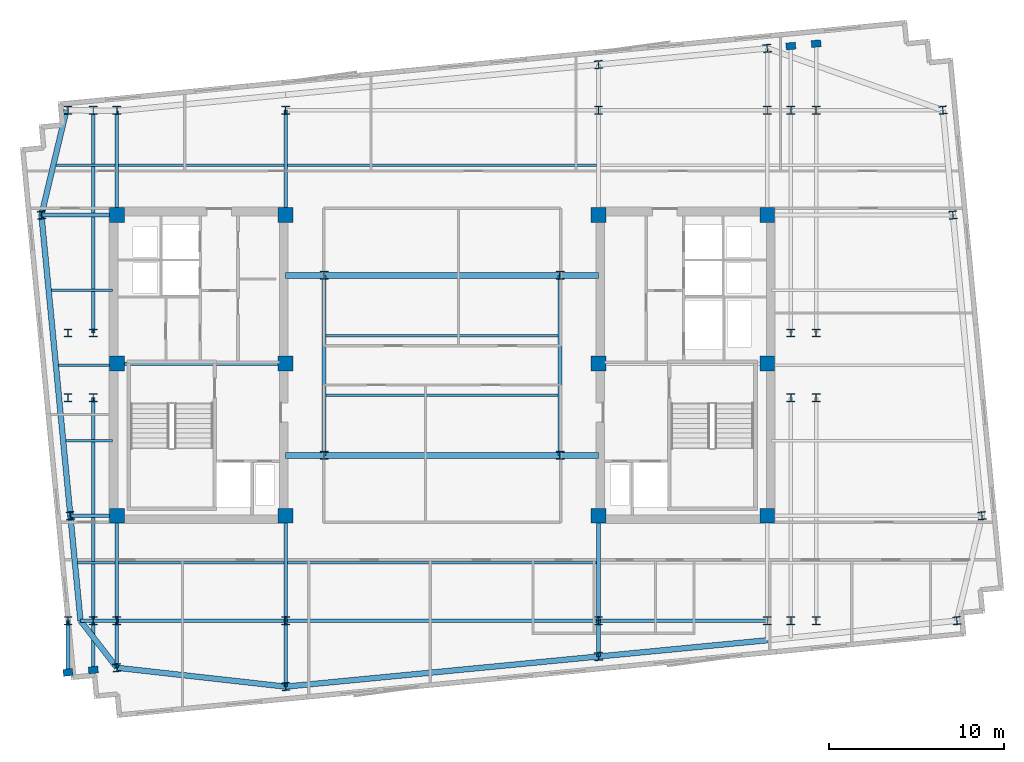
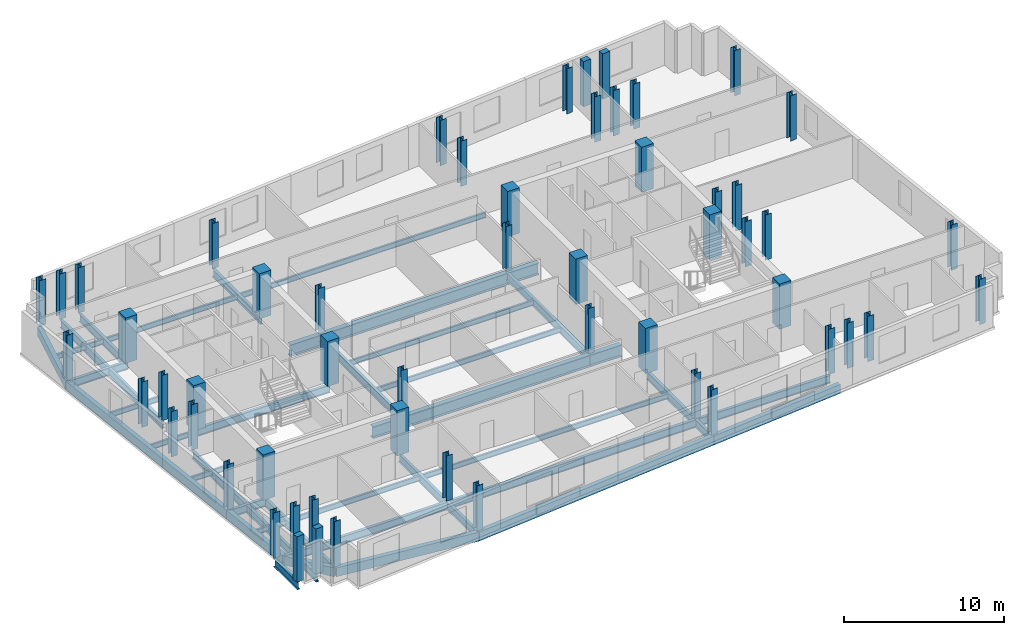
# One storey, part 1 of 9: 55 columns, 45 beams.
"""IFC4 building model written with IfcOpenShell, lengths in metres."""

from ifc_helpers import new_model, si_unit, direction, frame, origin, origin_2d, place, context, subcontext, project, spatial, rectangle, i_section, extrude, material, material_profile, profile_set, type_object, element, save


model = new_model("IFC4")

# Units and contexts
model_context = context("Model", 3, precision=1e-05, world=origin(), true_north=direction((0.0, 1.0)))
body_context = subcontext(model_context, "Body", "Model", "MODEL_VIEW")
ifc_project = project(units=[si_unit("LENGTHUNIT", "METRE"), si_unit("AREAUNIT", "SQUARE_METRE"), si_unit("VOLUMEUNIT", "CUBIC_METRE"), si_unit("PLANEANGLEUNIT", "RADIAN"), si_unit("MASSUNIT", "GRAM", prefix="KILO")], contexts=[model_context])

# Site, building, storey
site_placement = place(None, origin())
site = spatial("IfcSite", under=ifc_project, at=site_placement, CompositionType="ELEMENT")
building_placement = place(site_placement, origin())
building = spatial("IfcBuilding", under=site, at=building_placement, Name="Velakula Bourse", CompositionType="ELEMENT")
storey_placement = place(building_placement, frame((0.0, 0.0, 268.949951171875)))
storey = spatial("IfcBuildingStorey", under=building, at=storey_placement, Name="L73", CompositionType="ELEMENT", Elevation=268.949951171875)

# Columns
ifc_material_1 = material(Name="Concrete M50 (fck 50 MPa)", Category="concrete")
ifc_material_profile_1 = material_profile(ifc_material_1, rectangle(XDim=0.85009765625, YDim=0.85009765625, at=origin_2d()), Name="Concrete M50 (fck 50 MPa)")
ifc_profile_set_1 = profile_set([ifc_material_profile_1], Name="Concrete M50 (fck 50 MPa)")
column_type_1 = type_object("IfcColumnType", Name="COL-RC-850", PredefinedType="COLUMN", material=ifc_profile_set_1)
for number, where, z_axis, x_axis, name in (
    (1, (-8.949951171875, -8.60009765625, 0.0), (0.0, 0.0, 1.0), (1.0, 0.0, 0.0), "L73 Core Boundary Column 01"),
    (2, (-8.949951171875, 0.10009765625, 0.0), (0.0, 0.0, 1.0), (1.0, 0.0, 0.0), "L73 Core Boundary Column 02"),
    (3, (-8.949951171875, 8.60009765625, 0.0), (0.0, 0.0, 1.0), (1.0, 0.0, 0.0), "L73 Core Boundary Column 03"),
    (4, (-18.60009765625, -8.60009765625, 0.0), (0.0, 0.0, 1.0), (1.0, 0.0, 0.0), "L73 Core Boundary Column 04"),
    (5, (-18.60009765625, 0.10009765625, 0.0), (0.0, 0.0, 1.0), (1.0, 0.0, 0.0), "L73 Core Boundary Column 05"),
    (6, (-18.60009765625, 8.60009765625, 0.0), (0.0, 0.0, 1.0), (1.0, 0.0, 0.0), "L73 Core Boundary Column 06"),
    (7, (8.949951171875, -8.60009765625, 0.0), (0.0, 0.0, 1.0), (1.0, 0.0, 0.0), "L73 Core Boundary Column 07"),
    (8, (8.949951171875, 0.10009765625, 0.0), (0.0, 0.0, 1.0), (1.0, 0.0, 0.0), "L73 Core Boundary Column 08"),
    (9, (8.949951171875, 8.60009765625, 0.0), (0.0, 0.0, 1.0), (1.0, 0.0, 0.0), "L73 Core Boundary Column 09"),
    (10, (18.60009765625, -8.60009765625, 0.0), (0.0, 0.0, 1.0), (1.0, 0.0, 0.0), "L73 Core Boundary Column 10"),
    (11, (18.60009765625, 0.10009765625, 0.0), (0.0, 0.0, 1.0), (1.0, 0.0, 0.0), "L73 Core Boundary Column 11"),
    (12, (18.60009765625, 8.60009765625, 0.0), (0.0, 0.0, 1.0), (1.0, 0.0, 0.0), "L73 Core Boundary Column 12"),
):
    element("IfcColumn", number, at=place(storey_placement, frame(where, z_axis=z_axis, x_axis=x_axis)), inside=storey, type_object=column_type_1, Name=name, PredefinedType="COLUMN", context=body_context, shape_type="SweptSolid", body=[
        extrude(rectangle(XDim=0.85009765625, YDim=0.85009765625, at=origin_2d()), origin(), (0.0, 0.0, 1.0), 3.449951171875),
    ])
ifc_material_2 = material(Name="Steel IS 2062 Grade 350 (E350)", Category="steel")
ifc_material_profile_2 = material_profile(ifc_material_2, i_section(OverallWidth=0.449951171875, OverallDepth=0.449951171875, WebThickness=0.02197265625, FlangeThickness=0.031982421875, at=origin_2d()), Name="Steel IS 2062 Grade 350 (E350)")
ifc_profile_set_2 = profile_set([ifc_material_profile_2], Name="Steel IS 2062 Grade 350 (E350)")
column_type_2 = type_object("IfcColumnType", Name="COL-STL-450", PredefinedType="COLUMN", material=ifc_profile_set_2)
for number, where, z_axis, x_axis, name in (
    (13, (-6.75, -5.14990234375, 0.0), (0.0, 0.0, 1.0), (1.0, 0.0, 0.0), "L73 Central Spine Column 01"),
    (14, (-6.75, 5.14990234375, 0.0), (0.0, 0.0, 1.0), (1.0, 0.0, 0.0), "L73 Central Spine Column 02"),
    (15, (6.75, -5.14990234375, 0.0), (0.0, 0.0, 1.0), (1.0, 0.0, 0.0), "L73 Central Spine Column 03"),
    (16, (6.75, 5.14990234375, 0.0), (0.0, 0.0, 1.0), (1.0, 0.0, 0.0), "L73 Central Spine Column 04"),
    (17, (-21.39990234375, -14.60009765625, 0.0), (0.0, 0.0, 1.0), (1.0, 0.0, 0.0), "L73 Tower Fulcrum Column 01"),
    (18, (-21.39990234375, 14.60009765625, 0.0), (0.0, 0.0, 1.0), (1.0, 0.0, 0.0), "L73 Tower Fulcrum Column 02"),
    (19, (-19.949951171875, -14.60009765625, 0.0), (0.0, 0.0, 1.0), (1.0, 0.0, 0.0), "L73 Tower Fulcrum Column 03"),
    (20, (-19.949951171875, 14.60009765625, 0.0), (0.0, 0.0, 1.0), (1.0, 0.0, 0.0), "L73 Tower Fulcrum Column 04"),
    (21, (-18.60009765625, -14.60009765625, 0.0), (0.0, 0.0, 1.0), (1.0, 0.0, 0.0), "L73 Tower Fulcrum Column 05"),
    (22, (-18.60009765625, 14.60009765625, 0.0), (0.0, 0.0, 1.0), (1.0, 0.0, 0.0), "L73 Tower Fulcrum Column 06"),
    (23, (-8.949951171875, -14.60009765625, 0.0), (0.0, 0.0, 1.0), (1.0, 0.0, 0.0), "L73 Tower Fulcrum Column 07"),
    (24, (-8.949951171875, 14.60009765625, 0.0), (0.0, 0.0, 1.0), (1.0, 0.0, 0.0), "L73 Tower Fulcrum Column 08"),
    (25, (8.949951171875, -14.60009765625, 0.0), (0.0, 0.0, 1.0), (1.0, 0.0, 0.0), "L73 Tower Fulcrum Column 09"),
    (26, (8.949951171875, 14.60009765625, 0.0), (0.0, 0.0, 1.0), (1.0, 0.0, 0.0), "L73 Tower Fulcrum Column 10"),
    (27, (18.60009765625, -14.60009765625, 0.0), (0.0, 0.0, 1.0), (1.0, 0.0, 0.0), "L73 Tower Fulcrum Column 11"),
    (28, (18.60009765625, 14.60009765625, 0.0), (0.0, 0.0, 1.0), (1.0, 0.0, 0.0), "L73 Tower Fulcrum Column 12"),
    (29, (19.949951171875, -14.60009765625, 0.0), (0.0, 0.0, 1.0), (1.0, 0.0, 0.0), "L73 Tower Fulcrum Column 13"),
    (30, (19.949951171875, 14.60009765625, 0.0), (0.0, 0.0, 1.0), (1.0, 0.0, 0.0), "L73 Tower Fulcrum Column 14"),
    (31, (21.39990234375, -14.60009765625, 0.0), (0.0, 0.0, 1.0), (1.0, 0.0, 0.0), "L73 Tower Fulcrum Column 15"),
    (32, (21.39990234375, 14.60009765625, 0.0), (0.0, 0.0, 1.0), (1.0, 0.0, 0.0), "L73 Tower Fulcrum Column 16"),
    (33, (-21.39990234375, -1.85009765625, 0.0), (0.0, 0.0, 1.0), (1.0, 0.0, 0.0), "L73 Tower Fulcrum Column 17"),
    (34, (-21.39990234375, 1.85009765625, 0.0), (0.0, 0.0, 1.0), (1.0, 0.0, 0.0), "L73 Tower Fulcrum Column 18"),
    (35, (-19.949951171875, -1.85009765625, 0.0), (0.0, 0.0, 1.0), (1.0, 0.0, 0.0), "L73 Tower Fulcrum Column 19"),
    (36, (-19.949951171875, 1.85009765625, 0.0), (0.0, 0.0, 1.0), (1.0, 0.0, 0.0), "L73 Tower Fulcrum Column 20"),
    (37, (19.949951171875, -1.85009765625, 0.0), (0.0, 0.0, 1.0), (1.0, 0.0, 0.0), "L73 Tower Fulcrum Column 21"),
    (38, (19.949951171875, 1.85009765625, 0.0), (0.0, 0.0, 1.0), (1.0, 0.0, 0.0), "L73 Tower Fulcrum Column 22"),
    (39, (21.39990234375, -1.85009765625, 0.0), (0.0, 0.0, 1.0), (1.0, 0.0, 0.0), "L73 Tower Fulcrum Column 23"),
    (40, (21.39990234375, 1.85009765625, 0.0), (0.0, 0.0, 1.0), (1.0, 0.0, 0.0), "L73 Tower Fulcrum Column 24"),
    (41, (-18.60009765625, -17.294921875, 0.0), (0.0, 0.0, 1.0), (0.995396198367, 0.09584575252, 0.0), "L73 Block B6 Perimeter Column S1"),
    (42, (-8.949951171875, -18.375, 0.0), (0.0, 0.0, 1.0), (0.995396198367, 0.09584575252, 0.0), "L73 Block B6 Perimeter Column S2"),
    (43, (8.949951171875, -16.6513671875, 0.0), (0.0, 0.0, 1.0), (0.995396198367, 0.09584575252, 0.0), "L73 Block B6 Perimeter Column S3"),
    (44, (8.949951171875, 17.20458984375, 0.0), (0.0, 0.0, 1.0), (0.995396198367, 0.09584575252, 0.0), "L73 Block B6 Perimeter Column N3"),
    (45, (18.60009765625, 18.1337890625, 0.0), (0.0, 0.0, 1.0), (0.995396198367, 0.09584575252, 0.0), "L73 Block B6 Perimeter Column N4"),
    (46, (-21.26123046875, -8.60009765625, 0.0), (0.0, 0.0, 1.0), (0.995396198367, 0.09584575252, 0.0), "L73 Block B6 Perimeter Column W2"),
    (47, (-22.91748046875, 8.60009765625, 0.0), (0.0, 0.0, 1.0), (0.995396198367, 0.09584575252, 0.0), "L73 Block B6 Perimeter Column W3"),
    (48, (29.447265625, -14.60009765625, 0.0), (0.0, 0.0, 1.0), (0.995396198367, 0.09584575252, 0.0), "L73 Block B6 Perimeter Column E1"),
    (49, (30.87890625, -8.60009765625, 0.0), (0.0, 0.0, 1.0), (0.995396198367, 0.09584575252, 0.0), "L73 Block B6 Perimeter Column E2"),
    (50, (29.22265625, 8.60009765625, 0.0), (0.0, 0.0, 1.0), (0.995396198367, 0.09584575252, 0.0), "L73 Block B6 Perimeter Column E3"),
    (51, (28.64501953125, 14.60009765625, 0.0), (0.0, 0.0, 1.0), (0.995396198367, 0.09584575252, 0.0), "L73 Block B6 Perimeter Column E4"),
):
    element("IfcColumn", number, at=place(storey_placement, frame(where, z_axis=z_axis, x_axis=x_axis)), inside=storey, type_object=column_type_2, Name=name, PredefinedType="COLUMN", context=body_context, shape_type="SweptSolid", body=[
        extrude(i_section(OverallWidth=0.449951171875, OverallDepth=0.449951171875, WebThickness=0.02197265625, FlangeThickness=0.031982421875, at=origin_2d()), origin(), (0.0, 0.0, 1.0), 3.449951171875),
    ])
ifc_material_3 = material(Name="Precast concrete M45 (fck 45 MPa)", Category="concrete")
ifc_material_profile_3 = material_profile(ifc_material_3, rectangle(XDim=0.550048828125, YDim=0.39990234375, at=origin_2d()), Name="Precast concrete M45 (fck 45 MPa)")
ifc_profile_set_3 = profile_set([ifc_material_profile_3], Name="Precast concrete M45 (fck 45 MPa)")
column_type_3 = type_object("IfcColumnType", Name="PIL-BRICK-550", PredefinedType="PILASTER", material=ifc_profile_set_3)
for number, where, z_axis, x_axis, name in (
    (52, (-21.39990234375, -17.564453125, 0.0), (0.0, 0.0, 1.0), (0.995396198367, 0.09584575252, 0.0), "L73 Brick Pier Pilaster 01"),
    (53, (-19.949951171875, -17.4248046875, 0.0), (0.0, 0.0, 1.0), (0.995396198367, 0.09584575252, 0.0), "L73 Brick Pier Pilaster 02"),
    (54, (19.949951171875, 18.263671875, 0.0), (0.0, 0.0, 1.0), (0.995396198367, 0.09584575252, 0.0), "L73 Brick Pier Pilaster 07"),
    (55, (21.39990234375, 18.4033203125, 0.0), (0.0, 0.0, 1.0), (0.995396198367, 0.09584575252, 0.0), "L73 Brick Pier Pilaster 08"),
):
    element("IfcColumn", number, at=place(storey_placement, frame(where, z_axis=z_axis, x_axis=x_axis)), inside=storey, type_object=column_type_3, Name=name, PredefinedType="PILASTER", context=body_context, shape_type="SweptSolid", body=[
        extrude(rectangle(XDim=0.550048828125, YDim=0.39990234375, at=origin_2d()), origin(), (0.0, 0.0, 1.0), 3.449951171875),
    ])

# Beams
ifc_material_profile_4 = material_profile(ifc_material_2, i_section(OverallWidth=0.2099609375, OverallDepth=0.60009765625, WebThickness=0.011962890625, FlangeThickness=0.020751953125, at=origin_2d()), Name="Steel IS 2062 Grade 350 (E350)")
ifc_profile_set_4 = profile_set([ifc_material_profile_4], Name="Steel IS 2062 Grade 350 (E350)")
beam_type_1 = type_object("IfcBeamType", Name="BM-GRD-600L", PredefinedType="BEAM", material=ifc_profile_set_4)
beam_1_placement = place(storey_placement, frame((-18.60009765625, 0.10009765625, -0.47998046875), z_axis=(1.0, 0.0, 0.0), x_axis=(0.0, 1.0, 0.0)))
element("IfcBeam", 56, at=beam_1_placement, inside=storey, type_object=beam_type_1, Name="L73 Primary Backbone Girder CRW-M", PredefinedType="BEAM", context=body_context, shape_type="SweptSolid", body=[
    extrude(i_section(OverallWidth=0.2099609375, OverallDepth=0.60009765625, WebThickness=0.011962890625, FlangeThickness=0.020751953125, at=origin_2d()), origin(), (0.0, 0.0, 1.0), 9.650146484375),
])
for number, where, z_axis, x_axis, name in (
    (57, (-6.75, -5.14990234375, -0.47998046875), (0.0, 1.0, 0.0), (-1.0, 0.0, 0.0), "L73 Primary Backbone Girder SPN-W"),
    (58, (6.75, -5.14990234375, -0.47998046875), (0.0, 1.0, 0.0), (-1.0, 0.0, 0.0), "L73 Primary Backbone Girder SPN-E"),
):
    element("IfcBeam", number, at=place(storey_placement, frame(where, z_axis=z_axis, x_axis=x_axis)), inside=storey, type_object=beam_type_1, Name=name, PredefinedType="BEAM", context=body_context, shape_type="SweptSolid", body=[
        extrude(i_section(OverallWidth=0.2099609375, OverallDepth=0.60009765625, WebThickness=0.011962890625, FlangeThickness=0.020751953125, at=origin_2d()), origin(), (0.0, 0.0, 1.0), 10.2998046875),
    ])
beam_2_placement = place(storey_placement, frame((-18.60009765625, -14.60009765625, -0.47998046875), z_axis=(0.0, 1.0, 0.0), x_axis=(-1.0, 0.0, 0.0)))
element("IfcBeam", 59, at=beam_2_placement, inside=storey, type_object=beam_type_1, Name="L73 Fulcrum Grid Girder FLC-WS", PredefinedType="BEAM", context=body_context, shape_type="SweptSolid", body=[
    extrude(i_section(OverallWidth=0.2099609375, OverallDepth=0.60009765625, WebThickness=0.011962890625, FlangeThickness=0.020751953125, at=origin_2d()), origin(), (0.0, 0.0, 1.0), 6.0),
])
beam_3_placement = place(storey_placement, frame((-18.60009765625, 8.60009765625, -0.47998046875), z_axis=(0.0, 1.0, 0.0), x_axis=(-1.0, 0.0, 0.0)))
element("IfcBeam", 60, at=beam_3_placement, inside=storey, type_object=beam_type_1, Name="L73 Fulcrum Grid Girder FLC-WN", PredefinedType="BEAM", context=body_context, shape_type="SweptSolid", body=[
    extrude(i_section(OverallWidth=0.2099609375, OverallDepth=0.60009765625, WebThickness=0.011962890625, FlangeThickness=0.020751953125, at=origin_2d()), origin(), (0.0, 0.0, 1.0), 5.95166015625),
])
for number, where, z_axis, x_axis, name in (
    (61, (-8.949951171875, -14.60009765625, -0.47998046875), (0.0, 1.0, 0.0), (-1.0, 0.0, 0.0), "L73 Fulcrum Grid Girder FLC-WCS"),
    (62, (-8.949951171875, 8.60009765625, -0.47998046875), (0.0, 1.0, 0.0), (-1.0, 0.0, 0.0), "L73 Fulcrum Grid Girder FLC-WCN"),
    (63, (8.949951171875, -14.60009765625, -0.47998046875), (0.0, 1.0, 0.0), (-1.0, 0.0, 0.0), "L73 Fulcrum Grid Girder FLC-ECS"),
):
    element("IfcBeam", number, at=place(storey_placement, frame(where, z_axis=z_axis, x_axis=x_axis)), inside=storey, type_object=beam_type_1, Name=name, PredefinedType="BEAM", context=body_context, shape_type="SweptSolid", body=[
        extrude(i_section(OverallWidth=0.2099609375, OverallDepth=0.60009765625, WebThickness=0.011962890625, FlangeThickness=0.020751953125, at=origin_2d()), origin(), (0.0, 0.0, 1.0), 6.0),
    ])
beam_4_placement = place(storey_placement, frame((-18.60009765625, -14.60009765625, -0.47998046875), z_axis=(1.0, 0.0, 0.0), x_axis=(0.0, 1.0, 0.0)))
element("IfcBeam", 64, at=beam_4_placement, inside=storey, type_object=beam_type_1, Name="L73 Fulcrum Grid Girder FLC-S1", PredefinedType="BEAM", context=body_context, shape_type="SweptSolid", body=[
    extrude(i_section(OverallWidth=0.2099609375, OverallDepth=0.60009765625, WebThickness=0.011962890625, FlangeThickness=0.020751953125, at=origin_2d()), origin(), (0.0, 0.0, 1.0), 9.650146484375),
])
beam_5_placement = place(storey_placement, frame((-8.949951171875, -14.60009765625, -0.47998046875), z_axis=(1.0, 0.0, 0.0), x_axis=(0.0, 1.0, 0.0)))
element("IfcBeam", 65, at=beam_5_placement, inside=storey, type_object=beam_type_1, Name="L73 Fulcrum Grid Girder FLC-S2", PredefinedType="BEAM", context=body_context, shape_type="SweptSolid", body=[
    extrude(i_section(OverallWidth=0.2099609375, OverallDepth=0.60009765625, WebThickness=0.011962890625, FlangeThickness=0.020751953125, at=origin_2d()), origin(), (0.0, 0.0, 1.0), 17.89990234375),
])
beam_6_placement = place(storey_placement, frame((8.949951171875, -14.60009765625, -0.47998046875), z_axis=(1.0, 0.0, 0.0), x_axis=(0.0, 1.0, 0.0)))
element("IfcBeam", 66, at=beam_6_placement, inside=storey, type_object=beam_type_1, Name="L73 Fulcrum Grid Girder FLC-S3", PredefinedType="BEAM", context=body_context, shape_type="SweptSolid", body=[
    extrude(i_section(OverallWidth=0.2099609375, OverallDepth=0.60009765625, WebThickness=0.011962890625, FlangeThickness=0.020751953125, at=origin_2d()), origin(), (0.0, 0.0, 1.0), 9.650146484375),
])
beam_7_placement = place(storey_placement, frame((-19.949951171875, -14.60009765625, -0.47998046875), z_axis=(0.0, 1.0, 0.0), x_axis=(-1.0, 0.0, 0.0)))
element("IfcBeam", 67, at=beam_7_placement, inside=storey, type_object=beam_type_1, Name="L73 Fulcrum Grid Girder FLC-PSW2", PredefinedType="BEAM", context=body_context, shape_type="SweptSolid", body=[
    extrude(i_section(OverallWidth=0.2099609375, OverallDepth=0.60009765625, WebThickness=0.011962890625, FlangeThickness=0.020751953125, at=origin_2d()), origin(), (0.0, 0.0, 1.0), 12.75),
])
beam_8_placement = place(storey_placement, frame((-19.949951171875, 1.85009765625, -0.47998046875), z_axis=(0.0, 1.0, 0.0), x_axis=(-1.0, 0.0, 0.0)))
element("IfcBeam", 68, at=beam_8_placement, inside=storey, type_object=beam_type_1, Name="L73 Fulcrum Grid Girder FLC-PNW2", PredefinedType="BEAM", context=body_context, shape_type="SweptSolid", body=[
    extrude(i_section(OverallWidth=0.2099609375, OverallDepth=0.60009765625, WebThickness=0.011962890625, FlangeThickness=0.020751953125, at=origin_2d()), origin(), (0.0, 0.0, 1.0), 12.72412109375),
])
beam_9_placement = place(storey_placement, frame((-18.60009765625, -14.60009765625, -0.47998046875), z_axis=(0.0, -1.0, 0.0), x_axis=(1.0, 0.0, 0.0)))
element("IfcBeam", 69, at=beam_9_placement, inside=storey, type_object=beam_type_1, Name="L73 Perimeter Tie Girder S1", PredefinedType="BEAM", context=body_context, shape_type="SweptSolid", body=[
    extrude(i_section(OverallWidth=0.2099609375, OverallDepth=0.60009765625, WebThickness=0.011962890625, FlangeThickness=0.020751953125, at=origin_2d()), origin(), (0.0, 0.0, 1.0), 2.69482421875),
])
beam_10_placement = place(storey_placement, frame((-8.949951171875, -14.60009765625, -0.47998046875), z_axis=(0.0, -1.0, 0.0), x_axis=(1.0, 0.0, 0.0)))
element("IfcBeam", 70, at=beam_10_placement, inside=storey, type_object=beam_type_1, Name="L73 Perimeter Tie Girder S2", PredefinedType="BEAM", context=body_context, shape_type="SweptSolid", body=[
    extrude(i_section(OverallWidth=0.2099609375, OverallDepth=0.60009765625, WebThickness=0.011962890625, FlangeThickness=0.020751953125, at=origin_2d()), origin(), (0.0, 0.0, 1.0), 3.77490234375),
])
beam_11_placement = place(storey_placement, frame((8.949951171875, -14.60009765625, -0.47998046875), z_axis=(0.0, -1.0, 0.0), x_axis=(1.0, 0.0, 0.0)))
element("IfcBeam", 71, at=beam_11_placement, inside=storey, type_object=beam_type_1, Name="L73 Perimeter Tie Girder S3", PredefinedType="BEAM", context=body_context, shape_type="SweptSolid", body=[
    extrude(i_section(OverallWidth=0.2099609375, OverallDepth=0.60009765625, WebThickness=0.011962890625, FlangeThickness=0.020751953125, at=origin_2d()), origin(), (0.0, 0.0, 1.0), 2.05126953125),
])
beam_12_placement = place(storey_placement, frame((-18.60009765625, -14.60009765625, -0.47998046875), z_axis=(-1.0, 0.0, 0.0), x_axis=(0.0, -1.0, 0.0)))
element("IfcBeam", 72, at=beam_12_placement, inside=storey, type_object=beam_type_1, Name="L73 Perimeter Tie Girder W1", PredefinedType="BEAM", context=body_context, shape_type="SweptSolid", body=[
    extrude(i_section(OverallWidth=0.2099609375, OverallDepth=0.60009765625, WebThickness=0.011962890625, FlangeThickness=0.020751953125, at=origin_2d()), origin(), (0.0, 0.0, 1.0), 2.08349609375),
])
beam_13_placement = place(storey_placement, frame((-18.60009765625, -8.60009765625, -0.47998046875), z_axis=(-1.0, 0.0, 0.0), x_axis=(0.0, -1.0, 0.0)))
element("IfcBeam", 73, at=beam_13_placement, inside=storey, type_object=beam_type_1, Name="L73 Perimeter Tie Girder W2", PredefinedType="BEAM", context=body_context, shape_type="SweptSolid", body=[
    extrude(i_section(OverallWidth=0.2099609375, OverallDepth=0.60009765625, WebThickness=0.011962890625, FlangeThickness=0.020751953125, at=origin_2d()), origin(), (0.0, 0.0, 1.0), 2.6611328125),
])
beam_14_placement = place(storey_placement, frame((-18.60009765625, 8.60009765625, -0.47998046875), z_axis=(-1.0, 0.0, 0.0), x_axis=(0.0, -1.0, 0.0)))
element("IfcBeam", 74, at=beam_14_placement, inside=storey, type_object=beam_type_1, Name="L73 Perimeter Tie Girder W3", PredefinedType="BEAM", context=body_context, shape_type="SweptSolid", body=[
    extrude(i_section(OverallWidth=0.2099609375, OverallDepth=0.60009765625, WebThickness=0.011962890625, FlangeThickness=0.020751953125, at=origin_2d()), origin(), (0.0, 0.0, 1.0), 4.3173828125),
])
beam_15_placement = place(storey_placement, frame((-21.39990234375, -14.60009765625, -0.47998046875), z_axis=(0.0, -1.0, 0.0), x_axis=(1.0, 0.0, 0.0)))
element("IfcBeam", 75, at=beam_15_placement, inside=storey, type_object=beam_type_1, Name="L73 Perimeter Tie Girder P01", PredefinedType="BEAM", context=body_context, shape_type="SweptSolid", body=[
    extrude(i_section(OverallWidth=0.2099609375, OverallDepth=0.60009765625, WebThickness=0.011962890625, FlangeThickness=0.020751953125, at=origin_2d()), origin(), (0.0, 0.0, 1.0), 2.96435546875),
])
beam_16_placement = place(storey_placement, frame((-19.949951171875, -14.60009765625, -0.47998046875), z_axis=(0.0, -1.0, 0.0), x_axis=(1.0, 0.0, 0.0)))
element("IfcBeam", 76, at=beam_16_placement, inside=storey, type_object=beam_type_1, Name="L73 Perimeter Tie Girder P02", PredefinedType="BEAM", context=body_context, shape_type="SweptSolid", body=[
    extrude(i_section(OverallWidth=0.2099609375, OverallDepth=0.60009765625, WebThickness=0.011962890625, FlangeThickness=0.020751953125, at=origin_2d()), origin(), (0.0, 0.0, 1.0), 2.82470703125),
])
ifc_material_profile_5 = material_profile(ifc_material_2, i_section(OverallWidth=0.35009765625, OverallDepth=0.89990234375, WebThickness=0.02001953125, FlangeThickness=0.031982421875, at=origin_2d()), Name="Steel IS 2062 Grade 350 (E350)")
ifc_profile_set_5 = profile_set([ifc_material_profile_5], Name="Steel IS 2062 Grade 350 (E350)")
beam_type_2 = type_object("IfcBeamType", Name="BM-LNK-900", PredefinedType="BEAM", material=ifc_profile_set_5)
beam_17_placement = place(storey_placement, frame((-8.949951171875, -5.14990234375, -0.6298828125), z_axis=(1.0, 0.0, 0.0), x_axis=(0.0, 1.0, 0.0)))
element("IfcBeam", 77, at=beam_17_placement, inside=storey, type_object=beam_type_2, Name="L73 Primary Backbone Girder LNK-S1", PredefinedType="BEAM", context=body_context, shape_type="SweptSolid", body=[
    extrude(i_section(OverallWidth=0.35009765625, OverallDepth=0.89990234375, WebThickness=0.02001953125, FlangeThickness=0.031982421875, at=origin_2d()), origin(), (0.0, 0.0, 1.0), 2.199951171875),
])
beam_18_placement = place(storey_placement, frame((-6.75, -5.14990234375, -0.6298828125), z_axis=(1.0, 0.0, 0.0), x_axis=(0.0, 1.0, 0.0)))
element("IfcBeam", 78, at=beam_18_placement, inside=storey, type_object=beam_type_2, Name="L73 Primary Backbone Girder LNK-S2", PredefinedType="BEAM", context=body_context, shape_type="SweptSolid", body=[
    extrude(i_section(OverallWidth=0.35009765625, OverallDepth=0.89990234375, WebThickness=0.02001953125, FlangeThickness=0.031982421875, at=origin_2d()), origin(), (0.0, 0.0, 1.0), 13.5),
])
for number, where, z_axis, x_axis, name in (
    (79, (6.75, -5.14990234375, -0.6298828125), (1.0, 0.0, 0.0), (0.0, 1.0, 0.0), "L73 Primary Backbone Girder LNK-S3"),
    (80, (-8.949951171875, 5.14990234375, -0.6298828125), (1.0, 0.0, 0.0), (0.0, 1.0, 0.0), "L73 Primary Backbone Girder LNK-N1"),
):
    element("IfcBeam", number, at=place(storey_placement, frame(where, z_axis=z_axis, x_axis=x_axis)), inside=storey, type_object=beam_type_2, Name=name, PredefinedType="BEAM", context=body_context, shape_type="SweptSolid", body=[
        extrude(i_section(OverallWidth=0.35009765625, OverallDepth=0.89990234375, WebThickness=0.02001953125, FlangeThickness=0.031982421875, at=origin_2d()), origin(), (0.0, 0.0, 1.0), 2.199951171875),
    ])
beam_19_placement = place(storey_placement, frame((-6.75, 5.14990234375, -0.6298828125), z_axis=(1.0, 0.0, 0.0), x_axis=(0.0, 1.0, 0.0)))
element("IfcBeam", 81, at=beam_19_placement, inside=storey, type_object=beam_type_2, Name="L73 Primary Backbone Girder LNK-N2", PredefinedType="BEAM", context=body_context, shape_type="SweptSolid", body=[
    extrude(i_section(OverallWidth=0.35009765625, OverallDepth=0.89990234375, WebThickness=0.02001953125, FlangeThickness=0.031982421875, at=origin_2d()), origin(), (0.0, 0.0, 1.0), 13.5),
])
beam_20_placement = place(storey_placement, frame((6.75, 5.14990234375, -0.6298828125), z_axis=(1.0, 0.0, 0.0), x_axis=(0.0, 1.0, 0.0)))
element("IfcBeam", 82, at=beam_20_placement, inside=storey, type_object=beam_type_2, Name="L73 Primary Backbone Girder LNK-N3", PredefinedType="BEAM", context=body_context, shape_type="SweptSolid", body=[
    extrude(i_section(OverallWidth=0.35009765625, OverallDepth=0.89990234375, WebThickness=0.02001953125, FlangeThickness=0.031982421875, at=origin_2d()), origin(), (0.0, 0.0, 1.0), 2.199951171875),
])
ifc_material_profile_6 = material_profile(ifc_material_2, i_section(OverallWidth=0.139892578125, OverallDepth=0.39990234375, WebThickness=0.0087890625, FlangeThickness=0.01611328125, at=origin_2d()), Name="Steel IS 2062 Grade 350 (E350)")
ifc_profile_set_6 = profile_set([ifc_material_profile_6], Name="Steel IS 2062 Grade 350 (E350)")
beam_type_3 = type_object("IfcBeamType", Name="JST-TWR-400", PredefinedType="JOIST", material=ifc_profile_set_6)
beam_21_placement = place(storey_placement, frame((-20.840576171875, -11.300048828125, -0.3798828125), z_axis=(1.0, 0.0, 0.0), x_axis=(0.0, 1.0, 0.0)))
element("IfcBeam", 83, at=beam_21_placement, inside=storey, type_object=beam_type_3, Name="L73 Trading Floor Composite Joist 03", PredefinedType="JOIST", context=body_context, shape_type="SweptSolid", body=[
    extrude(i_section(OverallWidth=0.139892578125, OverallDepth=0.39990234375, WebThickness=0.0087890625, FlangeThickness=0.01611328125, at=origin_2d()), origin(), (0.0, 0.0, 1.0), 2.135498046875),
])
beam_22_placement = place(storey_placement, frame((-18.4951171875, -11.300048828125, -0.3798828125), z_axis=(1.0, 0.0, 0.0), x_axis=(0.0, 1.0, 0.0)))
element("IfcBeam", 84, at=beam_22_placement, inside=storey, type_object=beam_type_3, Name="L73 Trading Floor Composite Joist 04", PredefinedType="JOIST", context=body_context, shape_type="SweptSolid", body=[
    extrude(i_section(OverallWidth=0.139892578125, OverallDepth=0.39990234375, WebThickness=0.0087890625, FlangeThickness=0.01611328125, at=origin_2d()), origin(), (0.0, 0.0, 1.0), 9.440185546875),
])
beam_23_placement = place(storey_placement, frame((-8.844970703125, -11.300048828125, -0.3798828125), z_axis=(1.0, 0.0, 0.0), x_axis=(0.0, 1.0, 0.0)))
element("IfcBeam", 85, at=beam_23_placement, inside=storey, type_object=beam_type_3, Name="L73 Trading Floor Composite Joist 05", PredefinedType="JOIST", context=body_context, shape_type="SweptSolid", body=[
    extrude(i_section(OverallWidth=0.139892578125, OverallDepth=0.39990234375, WebThickness=0.0087890625, FlangeThickness=0.01611328125, at=origin_2d()), origin(), (0.0, 0.0, 1.0), 17.68994140625),
])
beam_24_placement = place(storey_placement, frame((-22.072998046875, 11.449951171875, -0.3798828125), z_axis=(1.0, 0.0, 0.0), x_axis=(0.0, 1.0, 0.0)))
element("IfcBeam", 86, at=beam_24_placement, inside=storey, type_object=beam_type_3, Name="L73 Trading Floor Composite Joist 08", PredefinedType="JOIST", context=body_context, shape_type="SweptSolid", body=[
    extrude(i_section(OverallWidth=0.139892578125, OverallDepth=0.39990234375, WebThickness=0.0087890625, FlangeThickness=0.01611328125, at=origin_2d()), origin(), (0.0, 0.0, 1.0), 3.367919921875),
])
beam_25_placement = place(storey_placement, frame((-18.4951171875, 11.449951171875, -0.3798828125), z_axis=(1.0, 0.0, 0.0), x_axis=(0.0, 1.0, 0.0)))
element("IfcBeam", 87, at=beam_25_placement, inside=storey, type_object=beam_type_3, Name="L73 Trading Floor Composite Joist 09", PredefinedType="JOIST", context=body_context, shape_type="SweptSolid", body=[
    extrude(i_section(OverallWidth=0.139892578125, OverallDepth=0.39990234375, WebThickness=0.0087890625, FlangeThickness=0.01611328125, at=origin_2d()), origin(), (0.0, 0.0, 1.0), 9.440185546875),
])
beam_26_placement = place(storey_placement, frame((-8.844970703125, 11.449951171875, -0.3798828125), z_axis=(1.0, 0.0, 0.0), x_axis=(0.0, 1.0, 0.0)))
element("IfcBeam", 88, at=beam_26_placement, inside=storey, type_object=beam_type_3, Name="L73 Trading Floor Composite Joist 10", PredefinedType="JOIST", context=body_context, shape_type="SweptSolid", body=[
    extrude(i_section(OverallWidth=0.139892578125, OverallDepth=0.39990234375, WebThickness=0.0087890625, FlangeThickness=0.01611328125, at=origin_2d()), origin(), (0.0, 0.0, 1.0), 17.68994140625),
])
for number, where, z_axis, x_axis, name in (
    (89, (-6.64501953125, -1.699951171875, -0.3798828125), (1.0, 0.0, 0.0), (0.0, 1.0, 0.0), "L73 Trading Floor Composite Joist 14"),
    (90, (-6.64501953125, 1.699951171875, -0.3798828125), (1.0, 0.0, 0.0), (0.0, 1.0, 0.0), "L73 Trading Floor Composite Joist 15"),
):
    element("IfcBeam", number, at=place(storey_placement, frame(where, z_axis=z_axis, x_axis=x_axis)), inside=storey, type_object=beam_type_3, Name=name, PredefinedType="JOIST", context=body_context, shape_type="SweptSolid", body=[
        extrude(i_section(OverallWidth=0.139892578125, OverallDepth=0.39990234375, WebThickness=0.0087890625, FlangeThickness=0.01611328125, at=origin_2d()), origin(), (0.0, 0.0, 1.0), 13.2900390625),
    ])
beam_27_placement = place(storey_placement, frame((-21.514404296875, -4.300048828125, -0.3798828125), z_axis=(1.0, 0.0, 0.0), x_axis=(0.0, 1.0, 0.0)))
element("IfcBeam", 91, at=beam_27_placement, inside=storey, type_object=beam_type_3, Name="L73 Trading Floor Composite Joist 16", PredefinedType="JOIST", context=body_context, shape_type="SweptSolid", body=[
    extrude(i_section(OverallWidth=0.139892578125, OverallDepth=0.39990234375, WebThickness=0.0087890625, FlangeThickness=0.01611328125, at=origin_2d()), origin(), (0.0, 0.0, 1.0), 2.664306640625),
])
beam_28_placement = place(storey_placement, frame((-21.9287109375, 0.0, -0.3798828125), z_axis=(1.0, 0.0, 0.0), x_axis=(0.0, 1.0, 0.0)))
element("IfcBeam", 92, at=beam_28_placement, inside=storey, type_object=beam_type_3, Name="L73 Trading Floor Composite Joist 18", PredefinedType="JOIST", context=body_context, shape_type="SweptSolid", body=[
    extrude(i_section(OverallWidth=0.139892578125, OverallDepth=0.39990234375, WebThickness=0.0087890625, FlangeThickness=0.01611328125, at=origin_2d()), origin(), (0.0, 0.0, 1.0), 3.07861328125),
])
beam_29_placement = place(storey_placement, frame((-22.342529296875, 4.300048828125, -0.3798828125), z_axis=(1.0, 0.0, 0.0), x_axis=(0.0, 1.0, 0.0)))
element("IfcBeam", 93, at=beam_29_placement, inside=storey, type_object=beam_type_3, Name="L73 Trading Floor Composite Joist 20", PredefinedType="JOIST", context=body_context, shape_type="SweptSolid", body=[
    extrude(i_section(OverallWidth=0.139892578125, OverallDepth=0.39990234375, WebThickness=0.0087890625, FlangeThickness=0.01611328125, at=origin_2d()), origin(), (0.0, 0.0, 1.0), 3.492431640625),
])
ifc_material_profile_7 = material_profile(ifc_material_3, rectangle(XDim=0.320068359375, YDim=0.679931640625, at=origin_2d()), Name="Precast concrete M45 (fck 45 MPa)")
ifc_profile_set_7 = profile_set([ifc_material_profile_7], Name="Precast concrete M45 (fck 45 MPa)")
beam_type_4 = type_object("IfcBeamType", Name="SPN-BRICK-680", PredefinedType="SPANDREL", material=ifc_profile_set_7)
beam_30_placement = place(storey_placement, frame((-18.60009765625, -17.294921875, -0.52001953125), z_axis=(0.993794803874, -0.111228988093, 0.0), x_axis=(0.111228988093, 0.993794803874, 0.0)))
element("IfcBeam", 94, at=beam_30_placement, inside=storey, type_object=beam_type_4, Name="L73 Brick-Faced Precast Spandrel S1-S2", PredefinedType="SPANDREL", context=body_context, shape_type="SweptSolid", body=[
    extrude(rectangle(XDim=0.320068359375, YDim=0.679931640625, at=origin_2d()), origin(), (0.0, 0.0, 1.0), 9.71044921875),
])
beam_31_placement = place(storey_placement, frame((-8.949951171875, -18.375, -0.52001953125), z_axis=(0.995395836254, 0.095849513134, 0.0), x_axis=(-0.095849513134, 0.995395836254, 0.0)))
element("IfcBeam", 95, at=beam_31_placement, inside=storey, type_object=beam_type_4, Name="L73 Brick-Faced Precast Spandrel S2-S3", PredefinedType="SPANDREL", context=body_context, shape_type="SweptSolid", body=[
    extrude(rectangle(XDim=0.320068359375, YDim=0.679931640625, at=origin_2d()), origin(), (0.0, 0.0, 1.0), 17.982666015625),
])
beam_32_placement = place(storey_placement, frame((8.949951171875, -16.6513671875, -0.52001953125), z_axis=(0.99539623971, 0.095845323155, 0.0), x_axis=(-0.095845323155, 0.99539623971, 0.0)))
element("IfcBeam", 96, at=beam_32_placement, inside=storey, type_object=beam_type_4, Name="L73 Brick-Faced Precast Spandrel S3-S4", PredefinedType="SPANDREL", context=body_context, shape_type="SweptSolid", body=[
    extrude(rectangle(XDim=0.320068359375, YDim=0.679931640625, at=origin_2d()), origin(), (0.0, 0.0, 1.0), 9.69482421875),
])
beam_33_placement = place(storey_placement, frame((-20.68359375, -14.60009765625, -0.52001953125), z_axis=(-0.095829714309, 0.995397742541, 0.0), x_axis=(-0.995397742541, -0.095829714309, 0.0)))
element("IfcBeam", 97, at=beam_33_placement, inside=storey, type_object=beam_type_4, Name="L73 Brick-Faced Precast Spandrel W1-W2", PredefinedType="SPANDREL", context=body_context, shape_type="SweptSolid", body=[
    extrude(rectangle(XDim=0.320068359375, YDim=0.679931640625, at=origin_2d()), origin(), (0.0, 0.0, 1.0), 6.02783203125),
])
beam_34_placement = place(storey_placement, frame((-21.26123046875, -8.60009765625, -0.52001953125), z_axis=(-0.095849167925, 0.995395869495, 0.0), x_axis=(-0.995395869495, -0.095849167925, 0.0)))
element("IfcBeam", 98, at=beam_34_placement, inside=storey, type_object=beam_type_4, Name="L73 Brick-Faced Precast Spandrel W2-W3", PredefinedType="SPANDREL", context=body_context, shape_type="SweptSolid", body=[
    extrude(rectangle(XDim=0.320068359375, YDim=0.679931640625, at=origin_2d()), origin(), (0.0, 0.0, 1.0), 17.27978515625),
])
beam_35_placement = place(storey_placement, frame((-22.91748046875, 8.60009765625, -0.52001953125), z_axis=(0.232091371601, 0.972693988482, 0.0), x_axis=(-0.972693988482, 0.232091371601, 0.0)))
element("IfcBeam", 99, at=beam_35_placement, inside=storey, type_object=beam_type_4, Name="L73 Brick-Faced Precast Spandrel W3-W4", PredefinedType="SPANDREL", context=body_context, shape_type="SweptSolid", body=[
    extrude(rectangle(XDim=0.320068359375, YDim=0.679931640625, at=origin_2d()), origin(), (0.0, 0.0, 1.0), 6.16845703125),
])
beam_36_placement = place(storey_placement, frame((-20.68359375, -14.60009765625, -0.52001953125), z_axis=(0.61165554427, -0.791124197053, 0.0), x_axis=(0.791124197053, 0.61165554427, 0.0)))
element("IfcBeam", 100, at=beam_36_placement, inside=storey, type_object=beam_type_4, Name="L73 Brick-Faced Precast Spandrel W1-S1", PredefinedType="SPANDREL", context=body_context, shape_type="SweptSolid", body=[
    extrude(rectangle(XDim=0.320068359375, YDim=0.679931640625, at=origin_2d()), origin(), (0.0, 0.0, 1.0), 3.40625),
])

save(model, "model.ifc")
